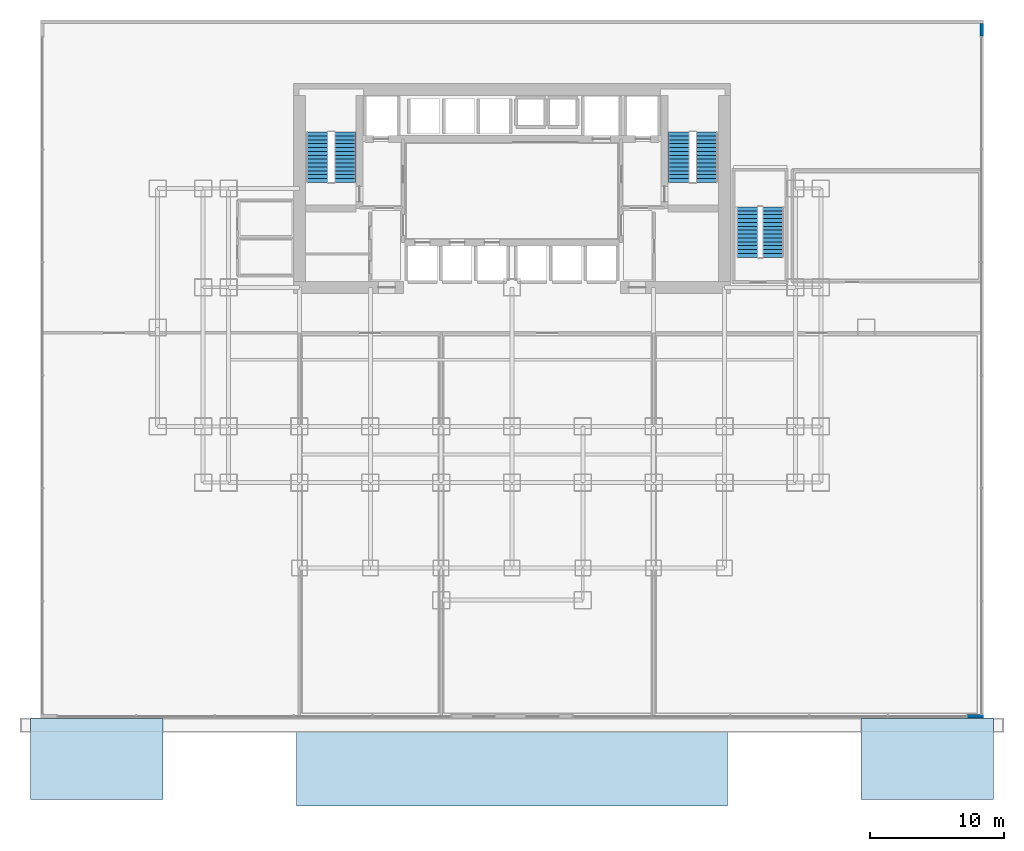
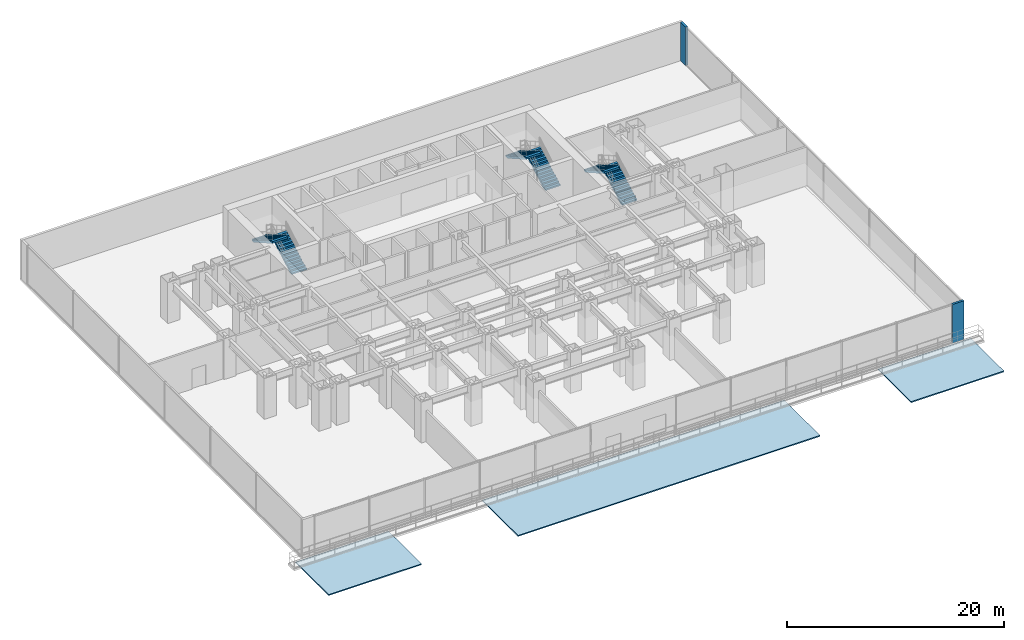
# One storey, part 11 of 13: 6 stair flights, 3 roofs, 2 walls, 3 elements without a shape of their own.
"""IFC4 building model written with IfcOpenShell, lengths in metres."""

from ifc_helpers import new_model, si_unit, direction, frame, frame_2d, origin, place, context, subcontext, project, spatial, polyline, rectangle, outline, extrude, material, layer, layer_set, type_object, element, aggregate, save


model = new_model("IFC4")

# Units and contexts
model_context = context("Model", 3, precision=1e-05, world=origin(), true_north=direction((0.0, 1.0)))
body_context = subcontext(model_context, "Body", "Model", "MODEL_VIEW")
ifc_project = project(units=[si_unit("LENGTHUNIT", "METRE"), si_unit("AREAUNIT", "SQUARE_METRE"), si_unit("VOLUMEUNIT", "CUBIC_METRE"), si_unit("PLANEANGLEUNIT", "RADIAN"), si_unit("MASSUNIT", "GRAM", prefix="KILO")], contexts=[model_context])

# Site, building, storey
site_placement = place(None, origin())
site = spatial("IfcSite", under=ifc_project, at=site_placement, CompositionType="ELEMENT")
building_placement = place(site_placement, origin())
building = spatial("IfcBuilding", under=site, at=building_placement, Name="Qianlan Lanfeng Residences", CompositionType="ELEMENT")
storey_placement = place(building_placement, frame((0.0, 0.0, 5.199951171875)))
storey = spatial("IfcBuildingStorey", under=building, at=storey_placement, Name="L01", CompositionType="ELEMENT", Elevation=5.199951171875)

# Walls
ifc_material_1 = material(Name="Concrete C42", Category="concrete")
ifc_layer_1 = layer(ifc_material_1, 0.239990234375)
ifc_layer_set_1 = layer_set([ifc_layer_1], Name="Concrete C42")
wall_type = type_object("IfcWallType", Name="EW-240", PredefinedType="SOLIDWALL", material=ifc_layer_set_1)
wall_1_placement = place(storey_placement, frame((60.550048828125, -6.8798828125, 0.0), z_axis=(0.0, 0.0, 1.0), x_axis=(1.0, 0.0, 0.0)))
element("IfcWall", 1, at=wall_1_placement, inside=storey, type_object=wall_type, Name="L01 SE Corner Pier", PredefinedType="SOLIDWALL", context=body_context, shape_type="SweptSolid", body=[
    extrude(rectangle(XDim=1.199951171875, YDim=0.239990234375, at=frame_2d((0.60009765625, 0.0))), origin(), (0.0, 0.0, 1.0), 4.35009765625),
])
wall_2_placement = place(storey_placement, frame((61.6298828125, 44.0, 0.0), z_axis=(0.0, 0.0, 1.0), x_axis=(0.0, 1.0, 0.0)))
element("IfcWall", 2, at=wall_2_placement, inside=storey, type_object=wall_type, Name="L01 NE Corner Pier", PredefinedType="SOLIDWALL", context=body_context, shape_type="SweptSolid", body=[
    extrude(rectangle(XDim=0.93994140625, YDim=0.239990234375, at=frame_2d((0.469970703125, 0.0))), origin(), (0.0, 0.0, 1.0), 4.35009765625),
])

# Stair, stair flights
stair_type_1 = type_object("IfcStairType", Name="STR-POD", PredefinedType="HALF_TURN_STAIR", material=ifc_material_1)
stair_1_placement = place(storey_placement, origin())
stair_1 = element("IfcStair", 3, at=stair_1_placement, inside=storey, type_object=stair_type_1, Name="L01 Exit Stair ST-P1", PredefinedType="HALF_TURN_STAIR")
stair_flight_type_1 = type_object("IfcStairFlightType", Name="FLT-1650", PredefinedType="STRAIGHT", material=ifc_material_1)
stair_flight_1_placement = place(storey_placement, frame((46.010009765625, 27.449951171875, 0.0), z_axis=(0.0, 0.0, 1.0), x_axis=(0.0, 1.0, 0.0)))
stair_flight_1 = element("IfcStairFlight", 4, at=stair_flight_1_placement, type_object=stair_flight_type_1, Name="ST-P1 flight 1", NumberOfRisers=14, NumberOfTreads=13, PredefinedType="STRAIGHT", RiserHeight=0.164285714, TreadLength=0.29, context=body_context, shape_type="SweptSolid", body=[
    extrude(outline(polyline([(0.0, 0.0), (0.0, 0.164306640625), (0.2900390625, 0.164306640625), (0.2900390625, 0.32861328125), (0.580078125, 0.32861328125), (0.580078125, 0.492919921875), (0.8701171875, 0.492919921875), (0.8701171875, 0.6572265625), (1.159912109375, 0.6572265625), (1.159912109375, 0.821533203125), (1.449951171875, 0.821533203125), (1.449951171875, 0.985595703125), (1.739990234375, 0.985595703125), (1.739990234375, 1.14990234375), (2.030029296875, 1.14990234375), (2.030029296875, 1.314208984375), (2.320068359375, 1.314208984375), (2.320068359375, 1.478515625), (2.610107421875, 1.478515625), (2.610107421875, 1.642822265625), (2.89990234375, 1.642822265625), (2.89990234375, 1.80712890625), (3.18994140625, 1.80712890625), (3.18994140625, 1.971435546875), (3.47998046875, 1.971435546875), (3.47998046875, 2.1357421875), (3.77001953125, 2.1357421875), (3.77001953125, 2.300048828125), (3.77001953125, 1.928955078125), (0.364990234375, 0.0), (0.0, 0.0)])), frame((0.0, 0.7900390625, 0.0), z_axis=(0.0, -1.0, 0.0), x_axis=(1.0, 0.0, 0.0)), (0.0, 0.0, 1.0), 1.580078125),
])
stair_flight_2_placement = place(storey_placement, frame((44.110107421875, 31.219970703125, 2.300048828125), z_axis=(0.0, 0.0, 1.0), x_axis=(0.0, -1.0, 0.0)))
stair_flight_2 = element("IfcStairFlight", 5, at=stair_flight_2_placement, type_object=stair_flight_type_1, Name="ST-P1 flight 2", NumberOfRisers=14, NumberOfTreads=13, PredefinedType="STRAIGHT", RiserHeight=0.164285714, TreadLength=0.29, context=body_context, shape_type="SweptSolid", body=[
    extrude(outline(polyline([(0.0, 0.0), (0.0, 0.164306640625), (0.2900390625, 0.164306640625), (0.2900390625, 0.32861328125), (0.580078125, 0.32861328125), (0.580078125, 0.492919921875), (0.8701171875, 0.492919921875), (0.8701171875, 0.6572265625), (1.159912109375, 0.6572265625), (1.159912109375, 0.821533203125), (1.449951171875, 0.821533203125), (1.449951171875, 0.985595703125), (1.739990234375, 0.985595703125), (1.739990234375, 1.14990234375), (2.030029296875, 1.14990234375), (2.030029296875, 1.314208984375), (2.320068359375, 1.314208984375), (2.320068359375, 1.478515625), (2.610107421875, 1.478515625), (2.610107421875, 1.642822265625), (2.89990234375, 1.642822265625), (2.89990234375, 1.80712890625), (3.18994140625, 1.80712890625), (3.18994140625, 1.971435546875), (3.47998046875, 1.971435546875), (3.47998046875, 2.1357421875), (3.77001953125, 2.1357421875), (3.77001953125, 2.300048828125), (3.77001953125, 1.928955078125), (0.364990234375, 0.0), (0.0, 0.0)])), frame((0.0, 0.7900390625, 0.0), z_axis=(0.0, -1.0, 0.0), x_axis=(1.0, 0.0, 0.0)), (0.0, 0.0, 1.0), 1.580078125),
])
aggregate(stair_1, [stair_flight_1, stair_flight_2])

stair_type_2 = type_object("IfcStairType", Name="STR-MAIN", PredefinedType="HALF_TURN_STAIR", material=ifc_material_1)
stair_2_placement = place(storey_placement, origin())
stair_2 = element("IfcStair", 6, at=stair_2_placement, inside=storey, type_object=stair_type_2, Name="L01 Exit Stair ST-1", PredefinedType="HALF_TURN_STAIR")
stair_flight_type_2 = type_object("IfcStairFlightType", Name="FLT-1720", PredefinedType="STRAIGHT", material=ifc_material_1)
stair_flight_3_placement = place(storey_placement, frame((14.02001953125, 33.050048828125, 0.0), z_axis=(0.0, 0.0, 1.0), x_axis=(0.0, 1.0, 0.0)))
stair_flight_3 = element("IfcStairFlight", 7, at=stair_flight_3_placement, type_object=stair_flight_type_2, Name="ST-1 flight 1", NumberOfRisers=14, NumberOfTreads=13, PredefinedType="STRAIGHT", RiserHeight=0.164285714, TreadLength=0.29, context=body_context, shape_type="SweptSolid", body=[
    extrude(outline(polyline([(0.0, 0.0), (0.0, 0.164306640625), (0.2900390625, 0.164306640625), (0.2900390625, 0.32861328125), (0.580078125, 0.32861328125), (0.580078125, 0.492919921875), (0.8701171875, 0.492919921875), (0.8701171875, 0.6572265625), (1.159912109375, 0.6572265625), (1.159912109375, 0.821533203125), (1.449951171875, 0.821533203125), (1.449951171875, 0.985595703125), (1.739990234375, 0.985595703125), (1.739990234375, 1.14990234375), (2.030029296875, 1.14990234375), (2.030029296875, 1.314208984375), (2.320068359375, 1.314208984375), (2.320068359375, 1.478515625), (2.610107421875, 1.478515625), (2.610107421875, 1.642822265625), (2.89990234375, 1.642822265625), (2.89990234375, 1.80712890625), (3.18994140625, 1.80712890625), (3.18994140625, 1.971435546875), (3.47998046875, 1.971435546875), (3.47998046875, 2.1357421875), (3.77001953125, 2.1357421875), (3.77001953125, 2.300048828125), (3.77001953125, 1.928955078125), (0.364990234375, 0.0), (0.0, 0.0)])), frame((0.0, 0.800048828125, 0.0), z_axis=(0.0, -1.0, 0.0), x_axis=(1.0, 0.0, 0.0)), (0.0, 0.0, 1.0), 1.60009765625),
])
stair_flight_4_placement = place(storey_placement, frame((11.93994140625, 36.820068359375, 2.300048828125), z_axis=(0.0, 0.0, 1.0), x_axis=(0.0, -1.0, 0.0)))
stair_flight_4 = element("IfcStairFlight", 8, at=stair_flight_4_placement, type_object=stair_flight_type_2, Name="ST-1 flight 2", NumberOfRisers=14, NumberOfTreads=13, PredefinedType="STRAIGHT", RiserHeight=0.164285714, TreadLength=0.29, context=body_context, shape_type="SweptSolid", body=[
    extrude(outline(polyline([(0.0, 0.0), (0.0, 0.164306640625), (0.2900390625, 0.164306640625), (0.2900390625, 0.32861328125), (0.580078125, 0.32861328125), (0.580078125, 0.492919921875), (0.8701171875, 0.492919921875), (0.8701171875, 0.6572265625), (1.159912109375, 0.6572265625), (1.159912109375, 0.821533203125), (1.449951171875, 0.821533203125), (1.449951171875, 0.985595703125), (1.739990234375, 0.985595703125), (1.739990234375, 1.14990234375), (2.030029296875, 1.14990234375), (2.030029296875, 1.314208984375), (2.320068359375, 1.314208984375), (2.320068359375, 1.478515625), (2.610107421875, 1.478515625), (2.610107421875, 1.642822265625), (2.89990234375, 1.642822265625), (2.89990234375, 1.80712890625), (3.18994140625, 1.80712890625), (3.18994140625, 1.971435546875), (3.47998046875, 1.971435546875), (3.47998046875, 2.1357421875), (3.77001953125, 2.1357421875), (3.77001953125, 2.300048828125), (3.77001953125, 1.928955078125), (0.364990234375, 0.0), (0.0, 0.0)])), frame((0.0, 0.800048828125, 0.0), z_axis=(0.0, -1.0, 0.0), x_axis=(1.0, 0.0, 0.0)), (0.0, 0.0, 1.0), 1.60009765625),
])
aggregate(stair_2, [stair_flight_3, stair_flight_4])

stair_3_placement = place(storey_placement, origin())
stair_3 = element("IfcStair", 9, at=stair_3_placement, inside=storey, type_object=stair_type_2, Name="L01 Exit Stair ST-2", PredefinedType="HALF_TURN_STAIR")
stair_flight_5_placement = place(storey_placement, frame((41.06005859375, 33.050048828125, 0.0), z_axis=(0.0, 0.0, 1.0), x_axis=(0.0, 1.0, 0.0)))
stair_flight_5 = element("IfcStairFlight", 10, at=stair_flight_5_placement, type_object=stair_flight_type_2, Name="ST-2 flight 1", NumberOfRisers=14, NumberOfTreads=13, PredefinedType="STRAIGHT", RiserHeight=0.164285714, TreadLength=0.29, context=body_context, shape_type="SweptSolid", body=[
    extrude(outline(polyline([(0.0, 0.0), (0.0, 0.164306640625), (0.2900390625, 0.164306640625), (0.2900390625, 0.32861328125), (0.580078125, 0.32861328125), (0.580078125, 0.492919921875), (0.8701171875, 0.492919921875), (0.8701171875, 0.6572265625), (1.159912109375, 0.6572265625), (1.159912109375, 0.821533203125), (1.449951171875, 0.821533203125), (1.449951171875, 0.985595703125), (1.739990234375, 0.985595703125), (1.739990234375, 1.14990234375), (2.030029296875, 1.14990234375), (2.030029296875, 1.314208984375), (2.320068359375, 1.314208984375), (2.320068359375, 1.478515625), (2.610107421875, 1.478515625), (2.610107421875, 1.642822265625), (2.89990234375, 1.642822265625), (2.89990234375, 1.80712890625), (3.18994140625, 1.80712890625), (3.18994140625, 1.971435546875), (3.47998046875, 1.971435546875), (3.47998046875, 2.1357421875), (3.77001953125, 2.1357421875), (3.77001953125, 2.300048828125), (3.77001953125, 1.928955078125), (0.364990234375, 0.0), (0.0, 0.0)])), frame((0.0, 0.800048828125, 0.0), z_axis=(0.0, -1.0, 0.0), x_axis=(1.0, 0.0, 0.0)), (0.0, 0.0, 1.0), 1.60009765625),
])
stair_flight_6_placement = place(storey_placement, frame((38.97998046875, 36.820068359375, 2.300048828125), z_axis=(0.0, 0.0, 1.0), x_axis=(0.0, -1.0, 0.0)))
stair_flight_6 = element("IfcStairFlight", 11, at=stair_flight_6_placement, type_object=stair_flight_type_2, Name="ST-2 flight 2", NumberOfRisers=14, NumberOfTreads=13, PredefinedType="STRAIGHT", RiserHeight=0.164285714, TreadLength=0.29, context=body_context, shape_type="SweptSolid", body=[
    extrude(outline(polyline([(0.0, 0.0), (0.0, 0.164306640625), (0.2900390625, 0.164306640625), (0.2900390625, 0.32861328125), (0.580078125, 0.32861328125), (0.580078125, 0.492919921875), (0.8701171875, 0.492919921875), (0.8701171875, 0.6572265625), (1.159912109375, 0.6572265625), (1.159912109375, 0.821533203125), (1.449951171875, 0.821533203125), (1.449951171875, 0.985595703125), (1.739990234375, 0.985595703125), (1.739990234375, 1.14990234375), (2.030029296875, 1.14990234375), (2.030029296875, 1.314208984375), (2.320068359375, 1.314208984375), (2.320068359375, 1.478515625), (2.610107421875, 1.478515625), (2.610107421875, 1.642822265625), (2.89990234375, 1.642822265625), (2.89990234375, 1.80712890625), (3.18994140625, 1.80712890625), (3.18994140625, 1.971435546875), (3.47998046875, 1.971435546875), (3.47998046875, 2.1357421875), (3.77001953125, 2.1357421875), (3.77001953125, 2.300048828125), (3.77001953125, 1.928955078125), (0.364990234375, 0.0), (0.0, 0.0)])), frame((0.0, 0.800048828125, 0.0), z_axis=(0.0, -1.0, 0.0), x_axis=(1.0, 0.0, 0.0)), (0.0, 0.0, 1.0), 1.60009765625),
])
aggregate(stair_3, [stair_flight_5, stair_flight_6])

# Roofs
ifc_material_2 = material(Name="Anodised Bronze Aluminium Rainscreen Cladding", Category="aluminium")
ifc_layer_2 = layer(ifc_material_2, 0.1201171875)
ifc_layer_set_2 = layer_set([ifc_layer_2], Name="Anodised Bronze Aluminium Rainscreen Cladding")
roof_type = type_object("IfcRoofType", Name="RF-CAN-MEM", PredefinedType="FLAT_ROOF", material=ifc_layer_set_2)
roof_1_placement = place(storey_placement, frame((0.0, 0.0, -0.239990234375)))
element("IfcRoof", 12, at=roof_1_placement, inside=storey, type_object=roof_type, Name="Grand Entrance Canopy Roof", PredefinedType="FLAT_ROOF", context=body_context, shape_type="SweptSolid", body=[
    extrude(outline(polyline([(10.39990234375, -13.60009765625), (42.60009765625, -13.60009765625), (42.60009765625, -7.0), (10.39990234375, -7.0), (10.39990234375, -13.60009765625)])), origin(), (0.0, 0.0, 1.0), 0.1201171875),
])
roof_2_placement = place(storey_placement, frame((0.0, 0.0, -0.239990234375)))
element("IfcRoof", 13, at=roof_2_placement, inside=storey, type_object=roof_type, Name="West Plaza Canopy Roof", PredefinedType="FLAT_ROOF", context=body_context, shape_type="SweptSolid", body=[
    extrude(outline(polyline([(-9.5, -13.10009765625), (0.39990234375, -13.10009765625), (0.39990234375, -7.0), (-9.5, -7.0), (-9.5, -13.10009765625)])), origin(), (0.0, 0.0, 1.0), 0.1201171875),
])
roof_3_placement = place(storey_placement, frame((0.0, 0.0, -0.239990234375)))
element("IfcRoof", 14, at=roof_3_placement, inside=storey, type_object=roof_type, Name="East Plaza Canopy Roof", PredefinedType="FLAT_ROOF", context=body_context, shape_type="SweptSolid", body=[
    extrude(outline(polyline([(52.60009765625, -13.10009765625), (62.5, -13.10009765625), (62.5, -7.0), (52.60009765625, -7.0), (52.60009765625, -13.10009765625)])), origin(), (0.0, 0.0, 1.0), 0.1201171875),
])

save(model, "model.ifc")
